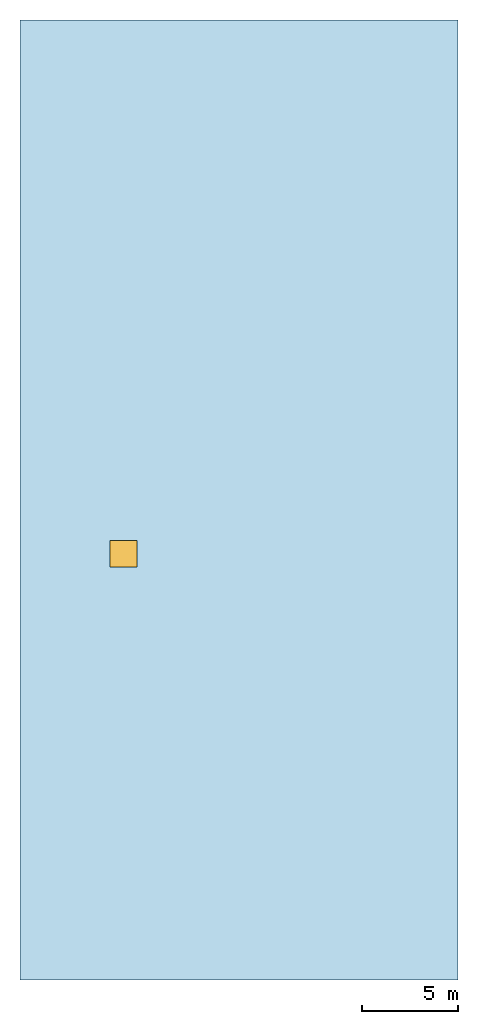
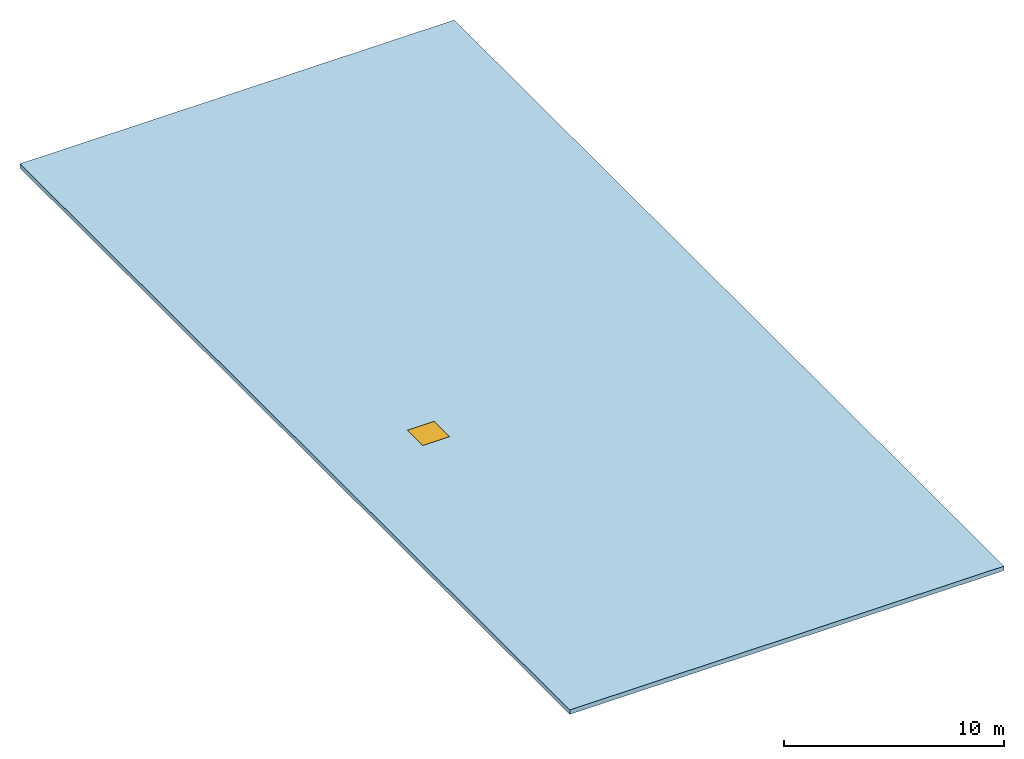
# One storey: 1 slab, 1 window, 1 opening.
"""IFC4 building model written with IfcOpenShell, lengths in metres."""

from ifc_helpers import new_model, si_unit, direction, frame, origin, origin_2d, place, context, subcontext, project, spatial, polyline, rectangle, outline, extrude, material, layer, layer_set, type_object, element, fill, save


model = new_model("IFC4")

# Units and contexts
model_context = context("Model", 3, precision=1e-05, world=origin(), true_north=direction((0.0, 1.0)))
body_context = subcontext(model_context, "Body", "Model", "MODEL_VIEW")
ifc_project = project(units=[si_unit("LENGTHUNIT", "METRE"), si_unit("AREAUNIT", "SQUARE_METRE"), si_unit("VOLUMEUNIT", "CUBIC_METRE"), si_unit("PLANEANGLEUNIT", "RADIAN"), si_unit("MASSUNIT", "GRAM", prefix="KILO")], contexts=[model_context])

# Site, building, storey
site_placement = place(None, origin())
site = spatial("IfcSite", under=ifc_project, at=site_placement, CompositionType="ELEMENT")
building_placement = place(site_placement, origin())
building = spatial("IfcBuilding", under=site, at=building_placement, Name="Cinchona Park Media Centre", CompositionType="ELEMENT")
storey_placement = place(building_placement, frame((0.0, 0.0, 33.89990234375)))
storey = spatial("IfcBuildingStorey", under=building, at=storey_placement, Name="RF", CompositionType="ELEMENT", Elevation=33.89990234375)

# Slab, opening, window
ifc_material_1 = material(Name="Concrete C35/45", Category="concrete")
ifc_layer = layer(ifc_material_1, 0.2451171875)
ifc_layer_set = layer_set([ifc_layer], Name="Concrete C35/45")
slab_type = type_object("IfcSlabType", Name="SLAB-RS01-245", PredefinedType="ROOF", material=ifc_layer_set)
slab_placement = place(storey_placement, frame((0.0, 0.0, -0.244873046875)))
slab = element("IfcSlab", 1, at=slab_placement, inside=storey, type_object=slab_type, Name="Roof Slab RF-V7-MAIN", PredefinedType="ROOF", context=body_context, shape_type="SweptSolid", body=[
    extrude(outline(polyline([(151.0, 69.800048828125), (173.800048828125, 69.800048828125), (173.800048828125, 119.800048828125), (151.0, 119.800048828125), (151.0, 69.800048828125)])), origin(), (0.0, 0.0, 1.0), 0.244873046875),
])
opening_placement = place(slab_placement, frame((156.39990234375, 92.0, 0.0)))
opening = element("IfcOpeningElement", 2, at=opening_placement, cuts=slab, Name="Opening SK08", PredefinedType="OPENING", context=body_context, shape_type="SweptSolid", body=[
    extrude(rectangle(XDim=1.39990234375, YDim=1.39990234375, at=origin_2d()), origin(), (0.0, 0.0, 1.0), 0.244873046875),
])
ifc_material_2 = material(Name="Hurricane-Laminated Acoustic Roof Skylight", Category="glass")
window_type = type_object("IfcWindowType", Name="SKY-SK08", PartitioningType="SINGLE_PANEL", PredefinedType="SKYLIGHT", material=ifc_material_2)
window_placement = place(opening_placement, frame((0.0, 0.0, 0.19482421875)))
window = element("IfcWindow", 3, at=window_placement, inside=storey, type_object=window_type, Name="Roof Skylight SK08", OverallHeight=1.39990234375, OverallWidth=1.39990234375, PartitioningType="SINGLE_PANEL", PredefinedType="SKYLIGHT", context=body_context, shape_type="SweptSolid", body=[
    extrude(rectangle(XDim=1.39990234375, YDim=1.39990234375, at=origin_2d()), origin(), (0.0, 0.0, 1.0), 0.050048828125),
])
fill(opening, window)

save(model, "model.ifc")
